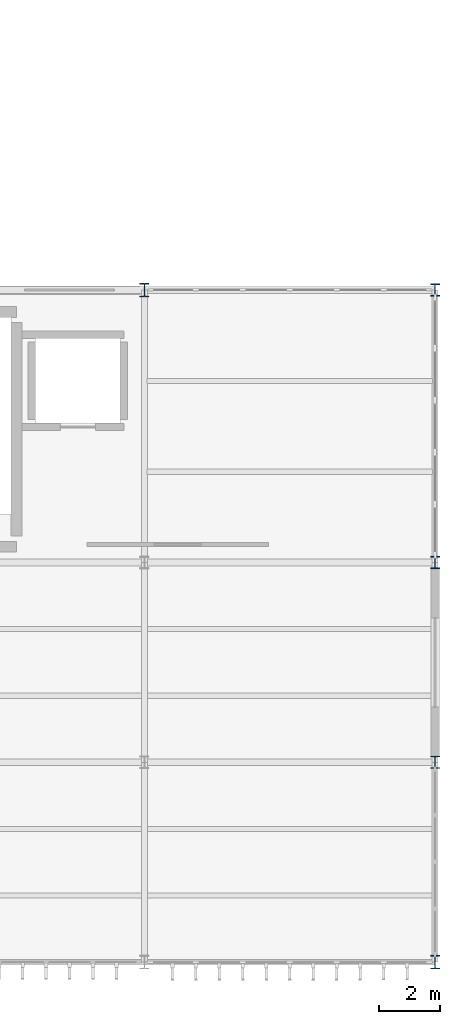
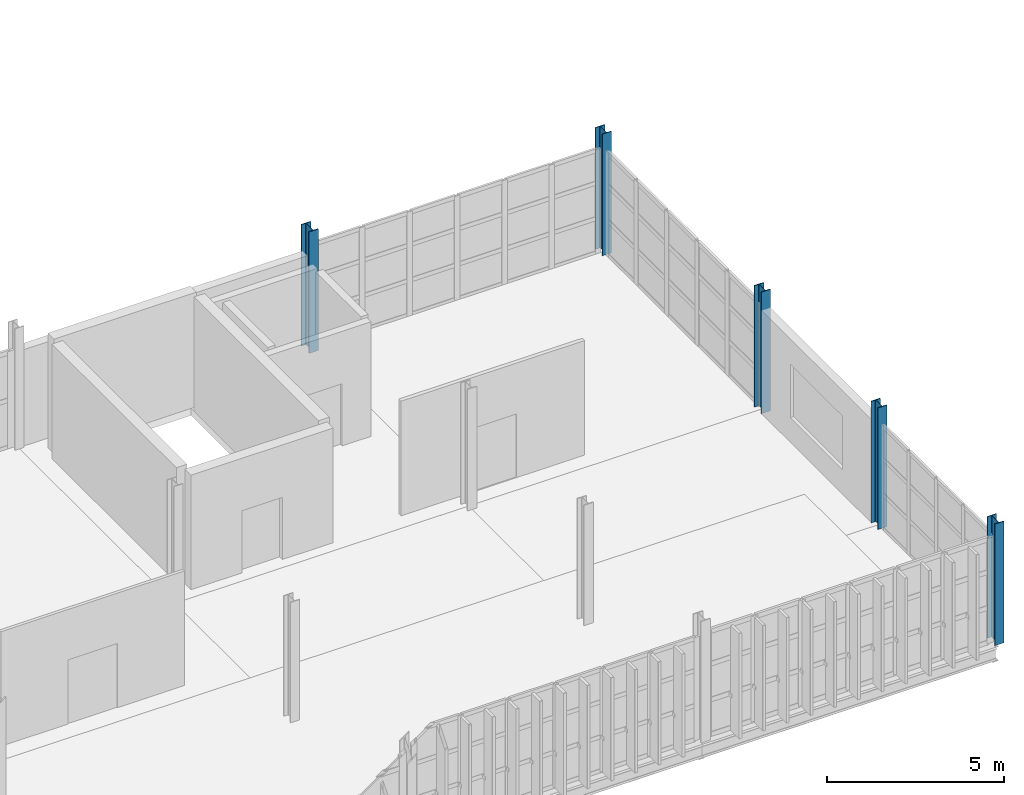
# One storey, part 2 of 38: 5 columns.
"""IFC4 building model written with IfcOpenShell, lengths in metres."""

from ifc_helpers import new_model, si_unit, direction, frame, origin, origin_2d, place, context, subcontext, project, spatial, i_section, extrude, material, material_profile, profile_set, type_object, element, save


model = new_model("IFC4")

# Units and contexts
model_context = context("Model", 3, precision=1e-05, world=origin(), true_north=direction((0.0, 1.0)))
body_context = subcontext(model_context, "Body", "Model", "MODEL_VIEW")
ifc_project = project(units=[si_unit("LENGTHUNIT", "METRE"), si_unit("AREAUNIT", "SQUARE_METRE"), si_unit("VOLUMEUNIT", "CUBIC_METRE"), si_unit("PLANEANGLEUNIT", "RADIAN"), si_unit("MASSUNIT", "GRAM", prefix="KILO")], contexts=[model_context])

# Site, building, storey
site_placement = place(None, origin())
site = spatial("IfcSite", under=ifc_project, at=site_placement, CompositionType="ELEMENT")
building_placement = place(site_placement, origin())
building = spatial("IfcBuilding", under=site, at=building_placement, Name="Zarnetskaya Central Station", CompositionType="ELEMENT")
storey_placement = place(building_placement, frame((0.0, 0.0, 18.60009765625)))
storey = spatial("IfcBuildingStorey", under=building, at=storey_placement, Name="L04", CompositionType="ELEMENT", Elevation=18.60009765625)

# Columns
ifc_material = material(Name="Steel S355", Category="steel")
ifc_material_profile_1 = material_profile(ifc_material, i_section(OverallWidth=0.300048828125, OverallDepth=0.449951171875, WebThickness=0.013916015625, FlangeThickness=0.02587890625, FilletRadius=0.027099609375, at=origin_2d()), Name="HEB 450")
ifc_profile_set_1 = profile_set([ifc_material_profile_1], Name="Steel S355")
column_type_1 = type_object("IfcColumnType", Name="COL-V5-TOP-E", PredefinedType="COLUMN", material=ifc_profile_set_1)
for number, where, z_axis, x_axis, name in (
    (1, (38.39990234375, 22.199951171875, 0.0), (0.0, 0.0, 1.0), (1.0, 0.0, 0.0), "Column E4 L04"),
    (2, (48.0, 0.0, 0.0), (0.0, 0.0, 1.0), (1.0, 0.0, 0.0), "Column F1 L04"),
):
    element("IfcColumn", number, at=place(storey_placement, frame(where, z_axis=z_axis, x_axis=x_axis)), inside=storey, type_object=column_type_1, Name=name, PredefinedType="COLUMN", context=body_context, shape_type="SweptSolid", body=[
        extrude(i_section(OverallWidth=0.300048828125, OverallDepth=0.449951171875, WebThickness=0.013916015625, FlangeThickness=0.02587890625, FilletRadius=0.027099609375, at=origin_2d()), origin(), (0.0, 0.0, 1.0), 4.199951171875),
    ])
ifc_material_profile_2 = material_profile(ifc_material, i_section(OverallWidth=0.300048828125, OverallDepth=0.39990234375, WebThickness=0.013427734375, FlangeThickness=0.02392578125, FilletRadius=0.027099609375, at=origin_2d()), Name="HEB 400")
ifc_profile_set_2 = profile_set([ifc_material_profile_2], Name="Steel S355")
column_type_2 = type_object("IfcColumnType", Name="COL-V5-TOP-I", PredefinedType="COLUMN", material=ifc_profile_set_2)
for number, where, z_axis, x_axis, name in (
    (3, (48.0, 6.60009765625, 0.0), (0.0, 0.0, 1.0), (1.0, 0.0, 0.0), "Column F2 L04"),
    (4, (48.0, 13.199951171875, 0.0), (0.0, 0.0, 1.0), (1.0, 0.0, 0.0), "Column F3 L04"),
    (5, (48.0, 22.199951171875, 0.0), (0.0, 0.0, 1.0), (1.0, 0.0, 0.0), "Column F4 L04"),
):
    element("IfcColumn", number, at=place(storey_placement, frame(where, z_axis=z_axis, x_axis=x_axis)), inside=storey, type_object=column_type_2, Name=name, PredefinedType="COLUMN", context=body_context, shape_type="SweptSolid", body=[
        extrude(i_section(OverallWidth=0.300048828125, OverallDepth=0.39990234375, WebThickness=0.013427734375, FlangeThickness=0.02392578125, FilletRadius=0.027099609375, at=origin_2d()), origin(), (0.0, 0.0, 1.0), 4.199951171875),
    ])

save(model, "model.ifc")
